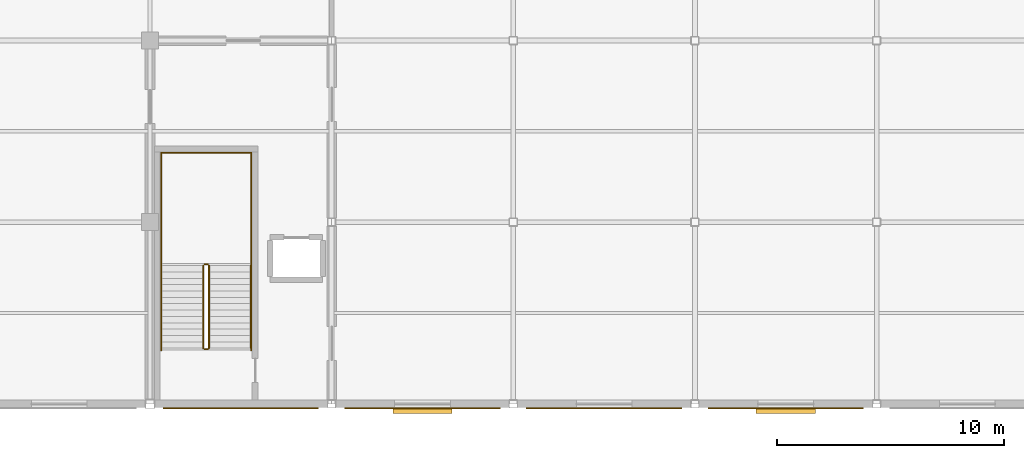
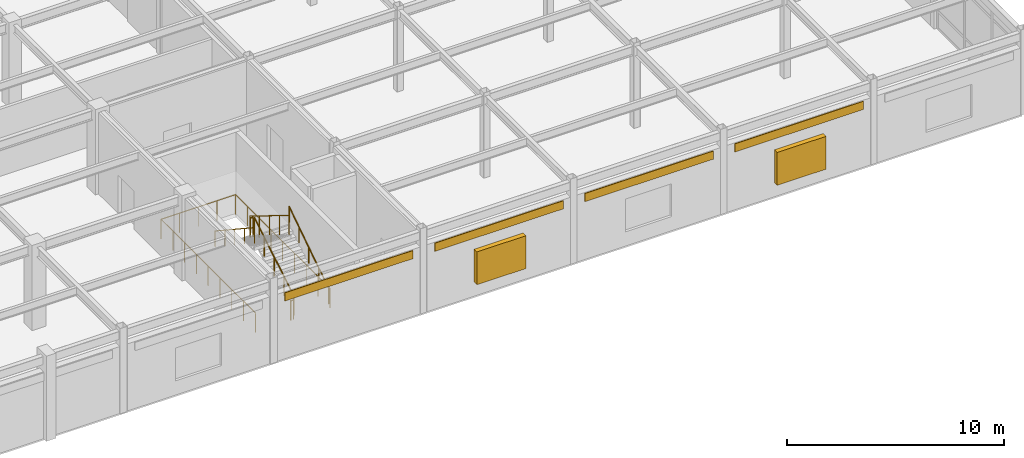
# One storey, part 113 of 117: 9 railings, 4 coverings, 2 shading devices.
"""IFC4 building model written with IfcOpenShell, lengths in metres."""

from ifc_helpers import new_model, si_unit, direction, frame, origin, origin_2d, place, context, subcontext, project, spatial, rectangle, circle, extrude, material, layer, layer_set, type_object, element, save


model = new_model("IFC4")

# Units and contexts
model_context = context("Model", 3, precision=1e-05, world=origin(), true_north=direction((0.0, 1.0)))
body_context = subcontext(model_context, "Body", "Model", "MODEL_VIEW")
ifc_project = project(units=[si_unit("LENGTHUNIT", "METRE"), si_unit("AREAUNIT", "SQUARE_METRE"), si_unit("VOLUMEUNIT", "CUBIC_METRE"), si_unit("PLANEANGLEUNIT", "RADIAN"), si_unit("MASSUNIT", "GRAM", prefix="KILO")], contexts=[model_context])

# Site, building, storey
site_placement = place(None, origin())
site = spatial("IfcSite", under=ifc_project, at=site_placement, CompositionType="ELEMENT")
building_placement = place(site_placement, origin())
building = spatial("IfcBuilding", under=site, at=building_placement, Name="Solmirada Galleria", CompositionType="ELEMENT")
storey_placement = place(building_placement, frame((0.0, 0.0, 5.60009765625)))
storey = spatial("IfcBuildingStorey", under=building, at=storey_placement, Name="L01", CompositionType="ELEMENT", Elevation=5.60009765625)

# Coverings
ifc_material_1 = material(Name="Limestone cladding panels", Category="masonry")
ifc_layer = layer(ifc_material_1, 0.044921875)
ifc_layer_set = layer_set([ifc_layer], Name="Limestone cladding panels")
covering_type = type_object("IfcCoveringType", Name="COV-CLAD-LIME", PredefinedType="CLADDING", material=ifc_layer_set)
for number, where, z_axis, x_axis, name in (
    (1, (164.0, -0.1923828125, 3.2900390625), (0.0, 0.0, 1.0), (-1.0, 0.0, 0.0), "Postmodern facade cladding L01-100"),
    (2, (156.0, -0.1923828125, 3.2900390625), (0.0, 0.0, 1.0), (-1.0, 0.0, 0.0), "Postmodern facade cladding L01-101"),
    (3, (148.0, -0.1923828125, 3.2900390625), (0.0, 0.0, 1.0), (-1.0, 0.0, 0.0), "Postmodern facade cladding L01-102"),
):
    element("IfcCovering", number, at=place(storey_placement, frame(where, z_axis=z_axis, x_axis=x_axis)), inside=storey, type_object=covering_type, Name=name, PredefinedType="CLADDING", context=body_context, shape_type="SweptSolid", body=[
        extrude(rectangle(XDim=6.843994140625, YDim=0.044921875, at=origin_2d()), origin(), (0.0, 0.0, 1.0), 0.4599609375),
    ])
covering_placement = place(storey_placement, frame((140.0, -0.1923828125, 3.2900390625), z_axis=(0.0, 0.0, 1.0), x_axis=(-1.0, 0.0, 0.0)))
element("IfcCovering", 4, at=covering_placement, inside=storey, type_object=covering_type, Name="Postmodern facade cladding L01-103", PredefinedType="CLADDING", context=body_context, shape_type="SweptSolid", body=[
    extrude(rectangle(XDim=6.819091796875, YDim=0.044921875, at=origin_2d()), origin(), (0.0, 0.0, 1.0), 0.4599609375),
])

# Railings
ifc_material_2 = material(Name="Painted steel tubular railing", Category="steel")
railing_type_1 = type_object("IfcRailingType", Name="RAIL-STAIR-GUARD", PredefinedType="GUARDRAIL", material=ifc_material_2)
railing_1_placement = place(storey_placement, frame((138.60009765625, 2.449951171875, 0.17138671875)))
element("IfcRailing", 5, at=railing_1_placement, inside=storey, type_object=railing_type_1, Name="L01 ST6 stair guard 1", PredefinedType="GUARDRAIL", context=body_context, shape_type="SweptSolid", body=[
    extrude(circle(Radius=0.02392578125, at=origin_2d()), frame((0.0, 0.0, 1.076171875), z_axis=(0.0, 0.852865859571, 0.52213008492), x_axis=(-1.0, 0.0, 0.0)), (0.0, 0.0, 1.0), 4.26806640625),
    extrude(circle(Radius=0.02099609375, at=origin_2d()), origin(), (0.0, 0.0, 1.0), 1.048095703125),
    extrude(circle(Radius=0.02099609375, at=origin_2d()), frame((0.0, 0.91015625, 0.55712890625)), (0.0, 0.0, 1.0), 1.048095703125),
    extrude(circle(Radius=0.02099609375, at=origin_2d()), frame((0.0, 1.820068359375, 1.1142578125)), (0.0, 0.0, 1.0), 1.048095703125),
    extrude(circle(Radius=0.02099609375, at=origin_2d()), frame((0.0, 2.72998046875, 1.67138671875)), (0.0, 0.0, 1.0), 1.048095703125),
    extrude(circle(Radius=0.02099609375, at=origin_2d()), frame((0.0, 3.64013671875, 2.228515625)), (0.0, 0.0, 1.0), 1.048095703125),
])
railing_2_placement = place(storey_placement, frame((138.550048828125, 6.139892578125, 2.39990234375)))
element("IfcRailing", 6, at=railing_2_placement, inside=storey, type_object=railing_type_1, Name="L01 ST6 stair guard 2", PredefinedType="GUARDRAIL", context=body_context, shape_type="SweptSolid", body=[
    extrude(circle(Radius=0.02392578125, at=origin_2d()), frame((0.0, 0.0, 1.076171875), z_axis=(-1.0, 0.0, 0.0), x_axis=(0.0, -1.0, 0.0)), (0.0, 0.0, 1.0), 0.150146484375),
    extrude(circle(Radius=0.02099609375, at=origin_2d()), origin(), (0.0, 0.0, 1.0), 1.048095703125),
    extrude(circle(Radius=0.02099609375, at=origin_2d()), frame((-0.150146484375, 0.0, 0.0)), (0.0, 0.0, 1.0), 1.048095703125),
])
railing_3_placement = place(storey_placement, frame((138.35009765625, 6.090087890625, 2.5712890625)))
element("IfcRailing", 7, at=railing_3_placement, inside=storey, type_object=railing_type_1, Name="L01 ST6 stair guard 3", PredefinedType="GUARDRAIL", context=body_context, shape_type="SweptSolid", body=[
    extrude(circle(Radius=0.02392578125, at=origin_2d()), frame((0.0, 0.0, 1.076171875), z_axis=(0.0, -0.852865859571, 0.52213008492), x_axis=(1.0, 0.0, 0.0)), (0.0, 0.0, 1.0), 4.26806640625),
    extrude(circle(Radius=0.02099609375, at=origin_2d()), origin(), (0.0, 0.0, 1.0), 1.048095703125),
    extrude(circle(Radius=0.02099609375, at=origin_2d()), frame((0.0, -0.91015625, 0.55712890625)), (0.0, 0.0, 1.0), 1.048095703125),
    extrude(circle(Radius=0.02099609375, at=origin_2d()), frame((0.0, -1.820068359375, 1.1142578125)), (0.0, 0.0, 1.0), 1.048095703125),
    extrude(circle(Radius=0.02099609375, at=origin_2d()), frame((0.0, -2.72998046875, 1.67138671875)), (0.0, 0.0, 1.0), 1.048095703125),
    extrude(circle(Radius=0.02099609375, at=origin_2d()), frame((0.0, -3.64013671875, 2.228515625)), (0.0, 0.0, 1.0), 1.048095703125),
])
railing_4_placement = place(storey_placement, frame((138.550048828125, 2.39990234375, 0.0)))
element("IfcRailing", 8, at=railing_4_placement, inside=storey, type_object=railing_type_1, Name="L01 ST6 stair guard 4", PredefinedType="GUARDRAIL", context=body_context, shape_type="SweptSolid", body=[
    extrude(circle(Radius=0.02392578125, at=origin_2d()), frame((0.0, 0.0, 1.076171875), z_axis=(-1.0, 0.0, 0.0), x_axis=(0.0, -1.0, 0.0)), (0.0, 0.0, 1.0), 0.150146484375),
    extrude(circle(Radius=0.02099609375, at=origin_2d()), origin(), (0.0, 0.0, 1.0), 1.048095703125),
    extrude(circle(Radius=0.02099609375, at=origin_2d()), frame((-0.150146484375, 0.0, 0.0)), (0.0, 0.0, 1.0), 1.048095703125),
])
railing_5_placement = place(storey_placement, frame((136.489990234375, 2.35009765625, 0.0)))
element("IfcRailing", 9, at=railing_5_placement, inside=storey, type_object=railing_type_1, Name="Stair ST6 well edge guard L01-1", PredefinedType="GUARDRAIL", context=body_context, shape_type="SweptSolid", body=[
    extrude(circle(Radius=0.02392578125, at=origin_2d()), frame((0.0, 0.0, 1.09619140625), z_axis=(0.0, 1.0, 0.0), x_axis=(-1.0, 0.0, 0.0)), (0.0, 0.0, 1.0), 8.7099609375),
    extrude(circle(Radius=0.02099609375, at=origin_2d()), origin(), (0.0, 0.0, 1.0), 1.068115234375),
    extrude(circle(Radius=0.02099609375, at=origin_2d()), frame((0.0, 1.0888671875, 0.0)), (0.0, 0.0, 1.0), 1.068115234375),
    extrude(circle(Radius=0.02099609375, at=origin_2d()), frame((0.0, 2.177490234375, 0.0)), (0.0, 0.0, 1.0), 1.068115234375),
    extrude(circle(Radius=0.02099609375, at=origin_2d()), frame((0.0, 3.26611328125, 0.0)), (0.0, 0.0, 1.0), 1.068115234375),
    extrude(circle(Radius=0.02099609375, at=origin_2d()), frame((0.0, 4.35498046875, 0.0)), (0.0, 0.0, 1.0), 1.068115234375),
    extrude(circle(Radius=0.02099609375, at=origin_2d()), frame((0.0, 5.44384765625, 0.0)), (0.0, 0.0, 1.0), 1.068115234375),
    extrude(circle(Radius=0.02099609375, at=origin_2d()), frame((0.0, 6.532470703125, 0.0)), (0.0, 0.0, 1.0), 1.068115234375),
    extrude(circle(Radius=0.02099609375, at=origin_2d()), frame((0.0, 7.62109375, 0.0)), (0.0, 0.0, 1.0), 1.068115234375),
    extrude(circle(Radius=0.02099609375, at=origin_2d()), frame((0.0, 8.7099609375, 0.0)), (0.0, 0.0, 1.0), 1.068115234375),
])
railing_6_placement = place(storey_placement, frame((136.489990234375, 11.06005859375, 0.0)))
element("IfcRailing", 10, at=railing_6_placement, inside=storey, type_object=railing_type_1, Name="Stair ST6 well edge guard L01-2", PredefinedType="GUARDRAIL", context=body_context, shape_type="SweptSolid", body=[
    extrude(circle(Radius=0.02392578125, at=origin_2d()), frame((0.0, 0.0, 1.09619140625), z_axis=(1.0, 0.0, 0.0), x_axis=(0.0, 1.0, 0.0)), (0.0, 0.0, 1.0), 3.969970703125),
    extrude(circle(Radius=0.02099609375, at=origin_2d()), origin(), (0.0, 0.0, 1.0), 1.068115234375),
    extrude(circle(Radius=0.02099609375, at=origin_2d()), frame((0.992431640625, 0.0, 0.0)), (0.0, 0.0, 1.0), 1.068115234375),
    extrude(circle(Radius=0.02099609375, at=origin_2d()), frame((1.98486328125, 0.0, 0.0)), (0.0, 0.0, 1.0), 1.068115234375),
    extrude(circle(Radius=0.02099609375, at=origin_2d()), frame((2.9775390625, 0.0, 0.0)), (0.0, 0.0, 1.0), 1.068115234375),
    extrude(circle(Radius=0.02099609375, at=origin_2d()), frame((3.969970703125, 0.0, 0.0)), (0.0, 0.0, 1.0), 1.068115234375),
])
railing_7_placement = place(storey_placement, frame((140.4599609375, 11.06005859375, 0.0)))
element("IfcRailing", 11, at=railing_7_placement, inside=storey, type_object=railing_type_1, Name="Stair ST6 well edge guard L01-3", PredefinedType="GUARDRAIL", context=body_context, shape_type="SweptSolid", body=[
    extrude(circle(Radius=0.02392578125, at=origin_2d()), frame((0.0, 0.0, 1.09619140625), z_axis=(0.0, -1.0, 0.0), x_axis=(1.0, 0.0, 0.0)), (0.0, 0.0, 1.0), 8.7099609375),
    extrude(circle(Radius=0.02099609375, at=origin_2d()), origin(), (0.0, 0.0, 1.0), 1.068115234375),
    extrude(circle(Radius=0.02099609375, at=origin_2d()), frame((0.0, -1.0888671875, 0.0)), (0.0, 0.0, 1.0), 1.068115234375),
    extrude(circle(Radius=0.02099609375, at=origin_2d()), frame((0.0, -2.177490234375, 0.0)), (0.0, 0.0, 1.0), 1.068115234375),
    extrude(circle(Radius=0.02099609375, at=origin_2d()), frame((0.0, -3.26611328125, 0.0)), (0.0, 0.0, 1.0), 1.068115234375),
    extrude(circle(Radius=0.02099609375, at=origin_2d()), frame((0.0, -4.35498046875, 0.0)), (0.0, 0.0, 1.0), 1.068115234375),
    extrude(circle(Radius=0.02099609375, at=origin_2d()), frame((0.0, -5.44384765625, 0.0)), (0.0, 0.0, 1.0), 1.068115234375),
    extrude(circle(Radius=0.02099609375, at=origin_2d()), frame((0.0, -6.532470703125, 0.0)), (0.0, 0.0, 1.0), 1.068115234375),
    extrude(circle(Radius=0.02099609375, at=origin_2d()), frame((0.0, -7.62109375, 0.0)), (0.0, 0.0, 1.0), 1.068115234375),
    extrude(circle(Radius=0.02099609375, at=origin_2d()), frame((0.0, -8.7099609375, 0.0)), (0.0, 0.0, 1.0), 1.068115234375),
])
railing_type_2 = type_object("IfcRailingType", Name="RAIL-STAIR-HAND", PredefinedType="HANDRAIL", material=ifc_material_2)
railing_8_placement = place(storey_placement, frame((140.449951171875, 2.449951171875, 0.17138671875)))
element("IfcRailing", 12, at=railing_8_placement, inside=storey, type_object=railing_type_2, Name="L01 ST6 stair handrail 1", PredefinedType="HANDRAIL", context=body_context, shape_type="SweptSolid", body=[
    extrude(circle(Radius=0.02392578125, at=origin_2d()), frame((0.0, 0.0, 0.8759765625), z_axis=(0.0, 0.83488217925, 0.55042869363), x_axis=(-1.0, 0.0, 0.0)), (0.0, 0.0, 1.0), 4.360107421875),
    extrude(circle(Radius=0.02099609375, at=origin_2d()), origin(), (0.0, 0.0, 1.0), 0.847900390625),
    extrude(circle(Radius=0.02099609375, at=origin_2d()), frame((0.0, 0.91015625, 0.60009765625)), (0.0, 0.0, 1.0), 0.847900390625),
    extrude(circle(Radius=0.02099609375, at=origin_2d()), frame((0.0, 1.820068359375, 1.199951171875)), (0.0, 0.0, 1.0), 0.847900390625),
    extrude(circle(Radius=0.02099609375, at=origin_2d()), frame((0.0, 2.72998046875, 1.7998046875)), (0.0, 0.0, 1.0), 0.847900390625),
    extrude(circle(Radius=0.02099609375, at=origin_2d()), frame((0.0, 3.64013671875, 2.39990234375)), (0.0, 0.0, 1.0), 0.847900390625),
])
railing_9_placement = place(storey_placement, frame((136.5, 6.090087890625, 2.5712890625)))
element("IfcRailing", 13, at=railing_9_placement, inside=storey, type_object=railing_type_2, Name="L01 ST6 stair handrail 2", PredefinedType="HANDRAIL", context=body_context, shape_type="SweptSolid", body=[
    extrude(circle(Radius=0.02392578125, at=origin_2d()), frame((0.0, 0.0, 0.8759765625), z_axis=(0.0, -0.834856447115, 0.55046772177), x_axis=(1.0, 0.0, 0.0)), (0.0, 0.0, 1.0), 4.360107421875),
    extrude(circle(Radius=0.02099609375, at=origin_2d()), origin(), (0.0, 0.0, 1.0), 0.847900390625),
    extrude(circle(Radius=0.02099609375, at=origin_2d()), frame((0.0, -0.91015625, 0.60009765625)), (0.0, 0.0, 1.0), 0.847900390625),
    extrude(circle(Radius=0.02099609375, at=origin_2d()), frame((0.0, -1.820068359375, 1.2001953125)), (0.0, 0.0, 1.0), 0.847900390625),
    extrude(circle(Radius=0.02099609375, at=origin_2d()), frame((0.0, -2.72998046875, 1.800048828125)), (0.0, 0.0, 1.0), 0.847900390625),
    extrude(circle(Radius=0.02099609375, at=origin_2d()), frame((0.0, -3.64013671875, 2.400146484375)), (0.0, 0.0, 1.0), 0.847900390625),
])

# Shading devices
ifc_material_3 = material(Name="Extruded aluminium storm louvres", Category="aluminium")
shading_device_type = type_object("IfcShadingDeviceType", Name="SHD-JALOUSIE", PredefinedType="JALOUSIE", material=ifc_material_3)
for number, where, z_axis, x_axis, name in (
    (14, (164.0, -0.300048828125, 0.7998046875), (0.0, 0.0, 1.0), (-1.0, 0.0, 0.0), "Hurricane storm jalousie louvre 044"),
    (15, (148.0, -0.300048828125, 0.7998046875), (0.0, 0.0, 1.0), (-1.0, 0.0, 0.0), "Hurricane storm jalousie louvre 045"),
):
    element("IfcShadingDevice", number, at=place(storey_placement, frame(where, z_axis=z_axis, x_axis=x_axis)), inside=storey, type_object=shading_device_type, Name=name, PredefinedType="JALOUSIE", context=body_context, shape_type="SweptSolid", body=[
        extrude(rectangle(XDim=2.610107421875, YDim=0.260009765625, at=origin_2d()), origin(), (0.0, 0.0, 1.0), 1.85009765625),
    ])

save(model, "model.ifc")
